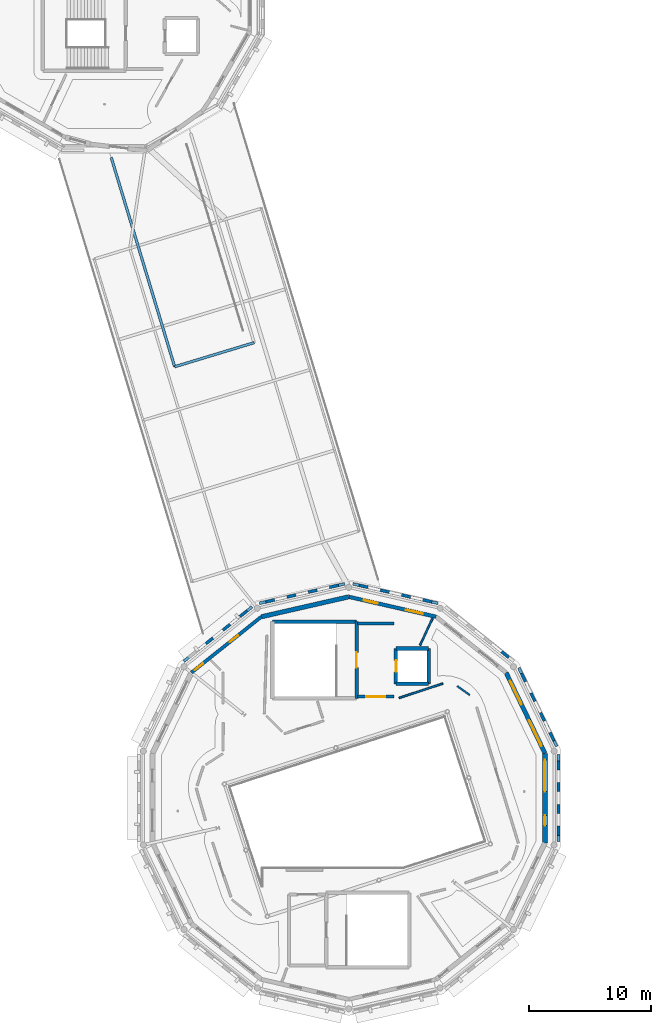
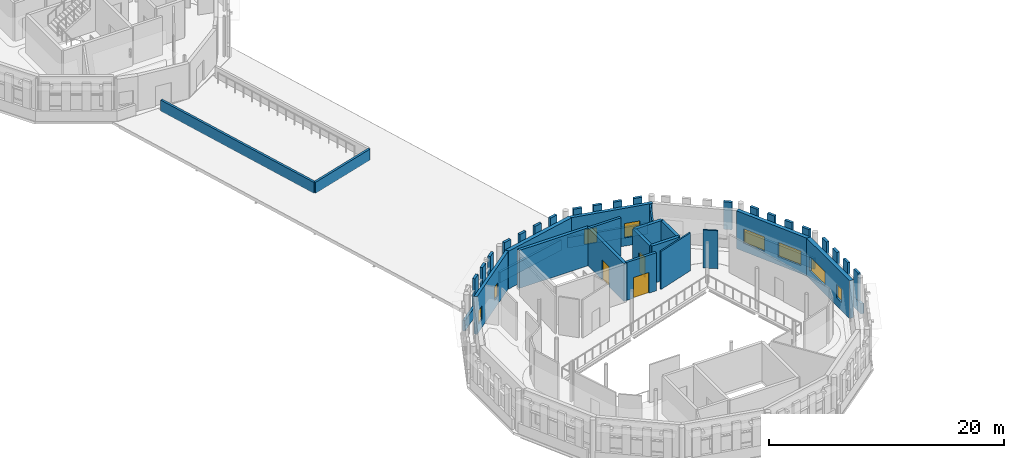
# One storey, part 37 of 68: 43 walls, 8 windows, 3 doors, 11 openings.
"""IFC4 building model written with IfcOpenShell, lengths in metres."""

from ifc_helpers import new_model, si_unit, direction, frame, frame_2d, origin, place, context, subcontext, project, spatial, rectangle, extrude, material, layer, layer_set, type_object, element, fill, save


model = new_model("IFC4")

# Units and contexts
model_context = context("Model", 3, precision=1e-05, world=origin(), true_north=direction((0.0, 1.0)))
body_context = subcontext(model_context, "Body", "Model", "MODEL_VIEW")
ifc_project = project(units=[si_unit("LENGTHUNIT", "METRE"), si_unit("AREAUNIT", "SQUARE_METRE"), si_unit("VOLUMEUNIT", "CUBIC_METRE"), si_unit("PLANEANGLEUNIT", "RADIAN"), si_unit("MASSUNIT", "GRAM", prefix="KILO")], contexts=[model_context])

# Site, building, storey
site_placement = place(None, origin())
site = spatial("IfcSite", under=ifc_project, at=site_placement, CompositionType="ELEMENT")
building_placement = place(site_placement, origin())
building = spatial("IfcBuilding", under=site, at=building_placement, Name="Wrenclough Park School", CompositionType="ELEMENT")
storey_placement = place(building_placement, frame((0.0, 0.0, 12.60009765625)))
storey = spatial("IfcBuildingStorey", under=building, at=storey_placement, Name="L03", CompositionType="ELEMENT", Elevation=12.60009765625)

# Walls
ifc_material_1 = material(Name="Perforated open-bond Staffordshire and Manchester brick screen pier", Category="masonry")
ifc_layer_1 = layer(ifc_material_1, 0.2451171875)
ifc_layer_set_1 = layer_set([ifc_layer_1], Name="Perforated open-bond Staffordshire and Manchester brick screen pier")
wall_type_1 = type_object("IfcWallType", Name="ENV-BS-PR245", PredefinedType="ELEMENTEDWALL", material=ifc_layer_set_1)
for number, where, z_axis, x_axis, name in (
    (1, (53.298828125, 28.1982421875, 1.08984375), (0.0, 0.0, 1.0), (-0.433884123593, 0.900968682749, 0.0), "D2 L03 perforated brick screen pier 0703"),
    (2, (52.5234375, 29.80810546875, 1.08984375), (0.0, 0.0, 1.0), (-0.433884123593, 0.900968682749, 0.0), "D2 L03 perforated brick screen pier 0704"),
    (3, (51.748291015625, 31.41796875, 1.08984375), (0.0, 0.0, 1.0), (-0.433884123593, 0.900968682749, 0.0), "D2 L03 perforated brick screen pier 0705"),
    (4, (50.972900390625, 33.02783203125, 1.08984375), (0.0, 0.0, 1.0), (-0.433884123593, 0.900968682749, 0.0), "D2 L03 perforated brick screen pier 0706"),
):
    element("IfcWall", number, at=place(storey_placement, frame(where, z_axis=z_axis, x_axis=x_axis)), inside=storey, type_object=wall_type_1, Name=name, PredefinedType="ELEMENTEDWALL", context=body_context, shape_type="SweptSolid", body=[
        extrude(rectangle(XDim=0.75, YDim=0.2451171875, at=frame_2d((0.375, 0.0))), origin(), (0.0, 0.0, 1.0), 2.85009765625),
    ])
wall_1_placement = place(storey_placement, frame((49.596923828125, 35.021728515625, 1.08984375), z_axis=(0.0, 0.0, 1.0), x_axis=(-0.781819359776, 0.623505002931, 0.0)))
element("IfcWall", 5, at=wall_1_placement, inside=storey, type_object=wall_type_1, Name="D2 L03 perforated brick screen pier 0707", PredefinedType="ELEMENTEDWALL", context=body_context, shape_type="SweptSolid", body=[
    extrude(rectangle(XDim=0.7509765625, YDim=0.2451171875, at=frame_2d((0.37548828125, 0.0))), origin(), (0.0, 0.0, 1.0), 2.85009765625),
])
for number, where, z_axis, x_axis, name in (
    (6, (43.299560546875, 39.563232421875, 1.08984375), (0.0, 0.0, 1.0), (-0.974898895053, 0.222648028119, 0.0), "D2 L03 perforated brick screen pier 0711"),
    (7, (41.557861328125, 39.9609375, 1.08984375), (0.0, 0.0, 1.0), (-0.974969505796, 0.222338621856, 0.0), "D2 L03 perforated brick screen pier 0712"),
    (8, (39.81591796875, 40.3583984375, 1.08984375), (0.0, 0.0, 1.0), (-0.974898895053, 0.222648028119, 0.0), "D2 L03 perforated brick screen pier 0713"),
    (9, (38.07421875, 40.756103515625, 1.08984375), (0.0, 0.0, 1.0), (-0.974898895053, 0.222648028119, 0.0), "D2 L03 perforated brick screen pier 0714"),
    (10, (35.656982421875, 40.9228515625, 1.08984375), (0.0, 0.0, 1.0), (-0.974969505796, -0.222338621856, 0.0), "D2 L03 perforated brick screen pier 0715"),
    (11, (33.914794921875, 40.525390625, 1.08984375), (0.0, 0.0, 1.0), (-0.974898895053, -0.222648028119, 0.0), "D2 L03 perforated brick screen pier 0716"),
    (12, (32.1728515625, 40.127685546875, 1.08984375), (0.0, 0.0, 1.0), (-0.974969505796, -0.222338621856, 0.0), "D2 L03 perforated brick screen pier 0717"),
    (13, (30.430908203125, 39.72998046875, 1.08984375), (0.0, 0.0, 1.0), (-0.974969505796, -0.222338621856, 0.0), "D2 L03 perforated brick screen pier 0718"),
):
    element("IfcWall", number, at=place(storey_placement, frame(where, z_axis=z_axis, x_axis=x_axis)), inside=storey, type_object=wall_type_1, Name=name, PredefinedType="ELEMENTEDWALL", context=body_context, shape_type="SweptSolid", body=[
        extrude(rectangle(XDim=0.75, YDim=0.2451171875, at=frame_2d((0.375, 0.0))), origin(), (0.0, 0.0, 1.0), 2.85009765625),
    ])
wall_2_placement = place(storey_placement, frame((28.1806640625, 38.831787109375, 1.08984375), z_axis=(0.0, 0.0, 1.0), x_axis=(-0.781757082545, -0.623583084994, 0.0)))
element("IfcWall", 14, at=wall_2_placement, inside=storey, type_object=wall_type_1, Name="D2 L03 perforated brick screen pier 0719", PredefinedType="ELEMENTEDWALL", context=body_context, shape_type="SweptSolid", body=[
    extrude(rectangle(XDim=0.750244140625, YDim=0.2451171875, at=frame_2d((0.375, 0.0))), origin(), (0.0, 0.0, 1.0), 2.85009765625),
])
wall_3_placement = place(storey_placement, frame((26.78369140625, 37.717529296875, 1.08984375), z_axis=(0.0, 0.0, 1.0), x_axis=(-0.781789197913, -0.623542821326, 0.0)))
element("IfcWall", 15, at=wall_3_placement, inside=storey, type_object=wall_type_1, Name="D2 L03 perforated brick screen pier 0720", PredefinedType="ELEMENTEDWALL", context=body_context, shape_type="SweptSolid", body=[
    extrude(rectangle(XDim=0.749755859375, YDim=0.2451171875, at=frame_2d((0.375, 0.0))), origin(), (0.0, 0.0, 1.0), 2.85009765625),
])
for number, where, z_axis, x_axis, name in (
    (16, (25.38671875, 36.603515625, 1.08984375), (0.0, 0.0, 1.0), (-0.781915748527, -0.623384120912, 0.0), "D2 L03 perforated brick screen pier 0721"),
    (17, (53.673583984375, 20.4453125, 1.08984375), (0.0, 0.0, 1.0), (0.0, 1.0, 0.0), "D2 L03 perforated brick screen pier 0755"),
    (18, (53.673583984375, 22.231689453125, 1.08984375), (0.0, 0.0, 1.0), (0.0, 1.0, 0.0), "D2 L03 perforated brick screen pier 0756"),
    (19, (53.673583984375, 24.018310546875, 1.08984375), (0.0, 0.0, 1.0), (0.0, 1.0, 0.0), "D2 L03 perforated brick screen pier 0757"),
    (20, (53.673583984375, 25.8046875, 1.08984375), (0.0, 0.0, 1.0), (0.0, 1.0, 0.0), "D2 L03 perforated brick screen pier 0758"),
):
    element("IfcWall", number, at=place(storey_placement, frame(where, z_axis=z_axis, x_axis=x_axis)), inside=storey, type_object=wall_type_1, Name=name, PredefinedType="ELEMENTEDWALL", context=body_context, shape_type="SweptSolid", body=[
        extrude(rectangle(XDim=0.75, YDim=0.2451171875, at=frame_2d((0.375, 0.0))), origin(), (0.0, 0.0, 1.0), 2.85009765625),
    ])
ifc_material_2 = material(Name="Open-bond Manchester multi-stock brick spandrel screen", Category="masonry")
ifc_layer_2 = layer(ifc_material_2, 0.22509765625)
ifc_layer_set_2 = layer_set([ifc_layer_2], Name="Open-bond Manchester multi-stock brick spandrel screen")
wall_type_2 = type_object("IfcWallType", Name="ENV-BS-SP225", PredefinedType="ELEMENTEDWALL", material=ifc_layer_set_2)
wall_4_placement = place(storey_placement, frame((53.523681640625, 27.731201171875, 0.0), z_axis=(0.0, 0.0, 1.0), x_axis=(-0.433883402341, 0.900969030085, 0.0)))
element("IfcWall", 21, at=wall_4_placement, inside=storey, type_object=wall_type_2, Name="D2 L03 open-bond brick screen spandrel 0189", PredefinedType="ELEMENTEDWALL", context=body_context, shape_type="SweptSolid", body=[
    extrude(rectangle(XDim=7.147216796875, YDim=0.22509765625, at=frame_2d((3.57373046875, 0.0))), origin(), (0.0, 0.0, 1.0), 1.08984375),
])
wall_5_placement = place(storey_placement, frame((43.804931640625, 39.447998046875, 0.0), z_axis=(0.0, 0.0, 1.0), x_axis=(-0.974925038555, 0.222533523763, 0.0)))
element("IfcWall", 22, at=wall_5_placement, inside=storey, type_object=wall_type_2, Name="D2 L03 open-bond brick screen spandrel 0191", PredefinedType="ELEMENTEDWALL", context=body_context, shape_type="SweptSolid", body=[
    extrude(rectangle(XDim=7.146484375, YDim=0.22509765625, at=frame_2d((3.5732421875, 0.0))), origin(), (0.0, 0.0, 1.0), 1.08984375),
])
wall_6_placement = place(storey_placement, frame((36.162353515625, 41.038330078125, 0.0), z_axis=(0.0, 0.0, 1.0), x_axis=(-0.97493180424, -0.222503881046, 0.0)))
element("IfcWall", 23, at=wall_6_placement, inside=storey, type_object=wall_type_2, Name="D2 L03 open-bond brick screen spandrel 0192", PredefinedType="ELEMENTEDWALL", context=body_context, shape_type="SweptSolid", body=[
    extrude(rectangle(XDim=7.1474609375, YDim=0.22509765625, at=frame_2d((3.57373046875, 0.0))), origin(), (0.0, 0.0, 1.0), 1.08984375),
])
wall_7_placement = place(storey_placement, frame((28.5859375, 39.15478515625, 0.0), z_axis=(0.0, 0.0, 1.0), x_axis=(-0.781840989125, -0.623477880702, 0.0)))
element("IfcWall", 24, at=wall_7_placement, inside=storey, type_object=wall_type_2, Name="D2 L03 open-bond brick screen spandrel 0193", PredefinedType="ELEMENTEDWALL", context=body_context, shape_type="SweptSolid", body=[
    extrude(rectangle(XDim=7.14697265625, YDim=0.22509765625, at=frame_2d((3.573486328125, 0.0))), origin(), (0.0, 0.0, 1.0), 1.08984375),
])
wall_8_placement = place(storey_placement, frame((53.673583984375, 19.927001953125, 0.0), z_axis=(0.0, 0.0, 1.0), x_axis=(0.0, 1.0, 0.0)))
element("IfcWall", 25, at=wall_8_placement, inside=storey, type_object=wall_type_2, Name="D2 L03 open-bond brick screen spandrel 0202", PredefinedType="ELEMENTEDWALL", context=body_context, shape_type="SweptSolid", body=[
    extrude(rectangle(XDim=7.14599609375, YDim=0.22509765625, at=frame_2d((3.572998046875, 0.0))), origin(), (0.0, 0.0, 1.0), 1.08984375),
])

# Wall, openings, windows
ifc_material_3 = material(Name="Link wing brick-faced cavity wall Concrete C32/40", Category="masonry")
ifc_layer_3 = layer(ifc_material_3, 0.27490234375)
ifc_layer_set_3 = layer_set([ifc_layer_3], Name="Link wing brick-faced cavity wall Concrete C32/40")
wall_type_3 = type_object("IfcWallType", Name="ENV-EW-275", PredefinedType="SOLIDWALL", material=ifc_layer_set_3)
wall_9_placement = place(storey_placement, frame((23.617919921875, 33.773193359375, 0.0), z_axis=(0.0, 0.0, 1.0), x_axis=(0.781819636461, 0.623504655992, 0.0)))
wall_9 = element("IfcWall", 26, at=wall_9_placement, inside=storey, type_object=wall_type_3, Name="L03 insulated brick external wall 0326", PredefinedType="SOLIDWALL", context=body_context, shape_type="SweptSolid", body=[
    extrude(rectangle(XDim=7.332763671875, YDim=0.27490234375, at=frame_2d((3.66650390625, 0.0))), origin(), (0.0, 0.0, 1.0), 3.93994140625),
])
opening_1_placement = place(wall_9_placement, frame((0.35009765625, 0.0, 0.85009765625)))
opening_1 = element("IfcOpeningElement", 27, at=opening_1_placement, cuts=wall_9, Name="Opening WN-01", PredefinedType="OPENING", context=body_context, shape_type="SweptSolid", body=[
    extrude(rectangle(XDim=0.85009765625, YDim=1.39990234375, at=frame_2d((0.425048828125, 0.699951171875))), frame((0.0, 0.1474609375, 0.0), z_axis=(0.0, -1.0, 0.0), x_axis=(1.0, 0.0, 0.0)), (0.0, 0.0, 1.0), 0.294921875),
])
opening_2_placement = place(wall_9_placement, frame((4.016357421875, 0.0, 0.85009765625)))
opening_2 = element("IfcOpeningElement", 28, at=opening_2_placement, cuts=wall_9, Name="Opening WN-01", PredefinedType="OPENING", context=body_context, shape_type="SweptSolid", body=[
    extrude(rectangle(XDim=0.85009765625, YDim=1.39990234375, at=frame_2d((0.425048828125, 0.699951171875))), frame((0.0, 0.1474609375, 0.0), z_axis=(0.0, -1.0, 0.0), x_axis=(1.0, 0.0, 0.0)), (0.0, 0.0, 1.0), 0.294921875),
])
ifc_material_4 = material(Name="Thermally broken aluminium and double-glazed low-e glass", Category="aluminium")
window_type_1 = type_object("IfcWindowType", Name="ENV-WN-01", PartitioningType="SINGLE_PANEL", PredefinedType="WINDOW", material=ifc_material_4)
window_1_placement = place(opening_1_placement, origin())
window_1 = element("IfcWindow", 29, at=window_1_placement, inside=storey, type_object=window_type_1, Name="L03 scheduled facade window 0551", OverallHeight=1.39990234375, OverallWidth=0.85009765625, PartitioningType="SINGLE_PANEL", PredefinedType="WINDOW", context=body_context, shape_type="SweptSolid", body=[
    extrude(rectangle(XDim=0.85009765625, YDim=1.39990234375, at=frame_2d((0.425048828125, 0.699951171875))), frame((0.0, 0.030029296875, 0.0), z_axis=(0.0, -1.0, 0.0), x_axis=(1.0, 0.0, 0.0)), (0.0, 0.0, 1.0), 0.06005859375),
])
fill(opening_1, window_1)
window_2_placement = place(opening_2_placement, origin())
window_2 = element("IfcWindow", 30, at=window_2_placement, inside=storey, type_object=window_type_1, Name="L03 scheduled facade window 0552", OverallHeight=1.39990234375, OverallWidth=0.85009765625, PartitioningType="SINGLE_PANEL", PredefinedType="WINDOW", context=body_context, shape_type="SweptSolid", body=[
    extrude(rectangle(XDim=0.85009765625, YDim=1.39990234375, at=frame_2d((0.425048828125, 0.699951171875))), frame((0.0, 0.030029296875, 0.0), z_axis=(0.0, -1.0, 0.0), x_axis=(1.0, 0.0, 0.0)), (0.0, 0.0, 1.0), 0.06005859375),
])
fill(opening_2, window_2)

ifc_material_5 = material(Name="Manchester multi-stock brick and Concrete C32/40 inner leaf", Category="masonry")
ifc_layer_4 = layer(ifc_material_5, 0.300048828125)
ifc_layer_set_4 = layer_set([ifc_layer_4], Name="Manchester multi-stock brick and Concrete C32/40 inner leaf")
wall_type_4 = type_object("IfcWallType", Name="ENV-EW-300", PredefinedType="SOLIDWALL", material=ifc_layer_set_4)
wall_10_placement = place(storey_placement, frame((36.5, 39.976806640625, 0.0), z_axis=(0.0, 0.0, 1.0), x_axis=(0.974932633187, -0.222500248868, 0.0)))
wall_10 = element("IfcWall", 31, at=wall_10_placement, inside=storey, type_object=wall_type_4, Name="L03 insulated brick external wall 0328", PredefinedType="SOLIDWALL", context=body_context, shape_type="SweptSolid", body=[
    extrude(rectangle(XDim=7.3330078125, YDim=0.300048828125, at=frame_2d((3.66650390625, 0.0))), origin(), (0.0, 0.0, 1.0), 3.93994140625),
])
opening_3_placement = place(wall_10_placement, frame((1.25830078125, 0.0, 0.85009765625)))
opening_3 = element("IfcOpeningElement", 32, at=opening_3_placement, cuts=wall_10, Name="Opening WN-50", PredefinedType="OPENING", context=body_context, shape_type="SweptSolid", body=[
    extrude(rectangle(XDim=1.14990234375, YDim=1.5, at=frame_2d((0.574951171875, 0.75))), frame((0.0, 0.159912109375, 0.0), z_axis=(0.0, -1.0, 0.0), x_axis=(1.0, 0.0, 0.0)), (0.0, 0.0, 1.0), 0.320068359375),
])
opening_4_placement = place(wall_10_placement, frame((4.7998046875, 0.0, 0.85009765625)))
opening_4 = element("IfcOpeningElement", 33, at=opening_4_placement, cuts=wall_10, Name="Opening WN-51", PredefinedType="OPENING", context=body_context, shape_type="SweptSolid", body=[
    extrude(rectangle(XDim=1.39990234375, YDim=1.5, at=frame_2d((0.699951171875, 0.75))), frame((0.0, 0.159912109375, 0.0), z_axis=(0.0, -1.0, 0.0), x_axis=(1.0, 0.0, 0.0)), (0.0, 0.0, 1.0), 0.320068359375),
])
window_type_2 = type_object("IfcWindowType", Name="ENV-WN-50", PartitioningType="SINGLE_PANEL", PredefinedType="WINDOW", material=ifc_material_4)
window_3_placement = place(opening_3_placement, origin())
window_3 = element("IfcWindow", 34, at=window_3_placement, inside=storey, type_object=window_type_2, Name="L03 scheduled facade window 0553", OverallHeight=1.5, OverallWidth=1.14990234375, PartitioningType="SINGLE_PANEL", PredefinedType="WINDOW", context=body_context, shape_type="SweptSolid", body=[
    extrude(rectangle(XDim=1.14990234375, YDim=1.5, at=frame_2d((0.574951171875, 0.75))), frame((0.0, 0.030029296875, 0.0), z_axis=(0.0, -1.0, 0.0), x_axis=(1.0, 0.0, 0.0)), (0.0, 0.0, 1.0), 0.06005859375),
])
fill(opening_3, window_3)
window_type_3 = type_object("IfcWindowType", Name="ENV-WN-51", PartitioningType="SINGLE_PANEL", PredefinedType="WINDOW", material=ifc_material_4)
window_4_placement = place(opening_4_placement, origin())
window_4 = element("IfcWindow", 35, at=window_4_placement, inside=storey, type_object=window_type_3, Name="L03 scheduled facade window 0554", OverallHeight=1.5, OverallWidth=1.39990234375, PartitioningType="SINGLE_PANEL", PredefinedType="WINDOW", context=body_context, shape_type="SweptSolid", body=[
    extrude(rectangle(XDim=1.39990234375, YDim=1.5, at=frame_2d((0.699951171875, 0.75))), frame((0.0, 0.030029296875, 0.0), z_axis=(0.0, -1.0, 0.0), x_axis=(1.0, 0.0, 0.0)), (0.0, 0.0, 1.0), 0.06005859375),
])
fill(opening_4, window_4)

ifc_material_6 = material(Name="Staffordshire blue-grey brick and Concrete C35/45 inner leaf", Category="masonry")
ifc_layer_5 = layer(ifc_material_6, 0.35009765625)
ifc_layer_set_5 = layer_set([ifc_layer_5], Name="Staffordshire blue-grey brick and Concrete C35/45 inner leaf")
wall_type_5 = type_object("IfcWallType", Name="ENV-EW-350", PredefinedType="SOLIDWALL", material=ifc_layer_set_5)
wall_11_placement = place(storey_placement, frame((49.382080078125, 33.773193359375, 0.0), z_axis=(0.0, 0.0, 1.0), x_axis=(0.433886691468, -0.900967446119, 0.0)))
wall_11 = element("IfcWall", 36, at=wall_11_placement, inside=storey, type_object=wall_type_5, Name="L03 insulated brick external wall 0330", PredefinedType="SOLIDWALL", context=body_context, shape_type="SweptSolid", body=[
    extrude(rectangle(XDim=7.332763671875, YDim=0.35009765625, at=frame_2d((3.66650390625, 0.0))), origin(), (0.0, 0.0, 1.0), 3.93994140625),
])
opening_5_placement = place(wall_11_placement, frame((0.75830078125, 0.0, 0.85009765625)))
opening_5 = element("IfcOpeningElement", 37, at=opening_5_placement, cuts=wall_11, Name="Opening WN-54", PredefinedType="OPENING", context=body_context, shape_type="SweptSolid", body=[
    extrude(rectangle(XDim=2.14990234375, YDim=1.5, at=frame_2d((1.074951171875, 0.75))), frame((0.0, 0.18505859375, 0.0), z_axis=(0.0, -1.0, 0.0), x_axis=(1.0, 0.0, 0.0)), (0.0, 0.0, 1.0), 0.3701171875),
])
opening_6_placement = place(wall_11_placement, frame((4.32470703125, 0.0, 0.85009765625)))
opening_6 = element("IfcOpeningElement", 38, at=opening_6_placement, cuts=wall_11, Name="Opening WN-55", PredefinedType="OPENING", context=body_context, shape_type="SweptSolid", body=[
    extrude(rectangle(XDim=2.35009765625, YDim=1.5, at=frame_2d((1.175048828125, 0.75))), frame((0.0, 0.18505859375, 0.0), z_axis=(0.0, -1.0, 0.0), x_axis=(1.0, 0.0, 0.0)), (0.0, 0.0, 1.0), 0.3701171875),
])
window_type_4 = type_object("IfcWindowType", Name="ENV-WN-54", PartitioningType="DOUBLE_PANEL_VERTICAL", PredefinedType="WINDOW", material=ifc_material_4)
window_5_placement = place(opening_5_placement, origin())
window_5 = element("IfcWindow", 39, at=window_5_placement, inside=storey, type_object=window_type_4, Name="L03 scheduled facade window 0557", OverallHeight=1.5, OverallWidth=2.14990234375, PartitioningType="SINGLE_PANEL", PredefinedType="WINDOW", context=body_context, shape_type="SweptSolid", body=[
    extrude(rectangle(XDim=2.14990234375, YDim=1.5, at=frame_2d((1.074951171875, 0.75))), frame((0.0, 0.030029296875, 0.0), z_axis=(0.0, -1.0, 0.0), x_axis=(1.0, 0.0, 0.0)), (0.0, 0.0, 1.0), 0.06005859375),
])
fill(opening_5, window_5)
window_type_5 = type_object("IfcWindowType", Name="ENV-WN-55", PartitioningType="DOUBLE_PANEL_VERTICAL", PredefinedType="WINDOW", material=ifc_material_4)
window_6_placement = place(opening_6_placement, origin())
window_6 = element("IfcWindow", 40, at=window_6_placement, inside=storey, type_object=window_type_5, Name="L03 scheduled facade window 0558", OverallHeight=1.5, OverallWidth=2.35009765625, PartitioningType="SINGLE_PANEL", PredefinedType="WINDOW", context=body_context, shape_type="SweptSolid", body=[
    extrude(rectangle(XDim=2.35009765625, YDim=1.5, at=frame_2d((1.175048828125, 0.75))), frame((0.0, 0.030029296875, 0.0), z_axis=(0.0, -1.0, 0.0), x_axis=(1.0, 0.0, 0.0)), (0.0, 0.0, 1.0), 0.06005859375),
])
fill(opening_6, window_6)

# Wall
ifc_material_7 = material(Name="Faceted courtyard brick-cavity wall Concrete C35/45", Category="masonry")
ifc_layer_6 = layer(ifc_material_7, 0.364990234375)
ifc_layer_set_6 = layer_set([ifc_layer_6], Name="Faceted courtyard brick-cavity wall Concrete C35/45")
wall_type_6 = type_object("IfcWallType", Name="ENV-EW-365", PredefinedType="SOLIDWALL", material=ifc_layer_set_6)
wall_12_placement = place(storey_placement, frame((29.350830078125, 38.34521484375, 0.0), z_axis=(0.0, 0.0, 1.0), x_axis=(0.974932633187, 0.222500248868, 0.0)))
element("IfcWall", 41, at=wall_12_placement, inside=storey, type_object=wall_type_6, Name="L03 insulated brick external wall 0327", PredefinedType="SOLIDWALL", context=body_context, shape_type="SweptSolid", body=[
    extrude(rectangle(XDim=7.3330078125, YDim=0.364990234375, at=frame_2d((3.66650390625, 0.0))), origin(), (0.0, 0.0, 1.0), 3.93994140625),
])

# Wall, openings, windows
ifc_material_8 = material(Name="Manchester multi-stock brick and Concrete C35/45 inner leaf", Category="masonry")
ifc_layer_7 = layer(ifc_material_8, 0.3798828125)
ifc_layer_set_7 = layer_set([ifc_layer_7], Name="Manchester multi-stock brick and Concrete C35/45 inner leaf")
wall_type_7 = type_object("IfcWallType", Name="ENV-EW-380", PredefinedType="SOLIDWALL", material=ifc_layer_set_7)
wall_13_placement = place(storey_placement, frame((52.563720703125, 27.16650390625, 0.0), z_axis=(0.0, 0.0, 1.0), x_axis=(0.0, -1.0, 0.0)))
wall_13 = element("IfcWall", 42, at=wall_13_placement, inside=storey, type_object=wall_type_7, Name="L03 insulated brick external wall 0331", PredefinedType="SOLIDWALL", context=body_context, shape_type="SweptSolid", body=[
    extrude(rectangle(XDim=7.3330078125, YDim=0.3798828125, at=frame_2d((3.66650390625, 0.0))), origin(), (0.0, 0.0, 1.0), 3.93994140625),
])
opening_7_placement = place(wall_13_placement, frame((0.533203125, 0.0, 0.85009765625)))
opening_7 = element("IfcOpeningElement", 43, at=opening_7_placement, cuts=wall_13, Name="Opening WN-56", PredefinedType="OPENING", context=body_context, shape_type="SweptSolid", body=[
    extrude(rectangle(XDim=2.60009765625, YDim=1.5, at=frame_2d((1.300048828125, 0.75))), frame((0.0, 0.199951171875, 0.0), z_axis=(0.0, -1.0, 0.0), x_axis=(1.0, 0.0, 0.0)), (0.0, 0.0, 1.0), 0.39990234375),
])
opening_8_placement = place(wall_13_placement, frame((5.07470703125, 0.0, 0.85009765625)))
opening_8 = element("IfcOpeningElement", 44, at=opening_8_placement, cuts=wall_13, Name="Opening WN-01", PredefinedType="OPENING", context=body_context, shape_type="SweptSolid", body=[
    extrude(rectangle(XDim=0.85009765625, YDim=1.39990234375, at=frame_2d((0.425048828125, 0.699951171875))), frame((0.0, 0.199951171875, 0.0), z_axis=(0.0, -1.0, 0.0), x_axis=(1.0, 0.0, 0.0)), (0.0, 0.0, 1.0), 0.39990234375),
])
window_7_placement = place(opening_8_placement, origin())
window_7 = element("IfcWindow", 45, at=window_7_placement, inside=storey, type_object=window_type_1, Name="L03 scheduled facade window 0560", OverallHeight=1.39990234375, OverallWidth=0.85009765625, PartitioningType="SINGLE_PANEL", PredefinedType="WINDOW", context=body_context, shape_type="SweptSolid", body=[
    extrude(rectangle(XDim=0.85009765625, YDim=1.39990234375, at=frame_2d((0.425048828125, 0.699951171875))), frame((0.0, 0.030029296875, 0.0), z_axis=(0.0, -1.0, 0.0), x_axis=(1.0, 0.0, 0.0)), (0.0, 0.0, 1.0), 0.06005859375),
])
fill(opening_8, window_7)
window_type_6 = type_object("IfcWindowType", Name="ENV-WN-56", PartitioningType="DOUBLE_PANEL_VERTICAL", PredefinedType="WINDOW", material=ifc_material_4)
window_8_placement = place(opening_7_placement, origin())
window_8 = element("IfcWindow", 46, at=window_8_placement, inside=storey, type_object=window_type_6, Name="L03 scheduled facade window 0559", OverallHeight=1.5, OverallWidth=2.60009765625, PartitioningType="SINGLE_PANEL", PredefinedType="WINDOW", context=body_context, shape_type="SweptSolid", body=[
    extrude(rectangle(XDim=2.60009765625, YDim=1.5, at=frame_2d((1.300048828125, 0.75))), frame((0.0, 0.030029296875, 0.0), z_axis=(0.0, -1.0, 0.0), x_axis=(1.0, 0.0, 0.0)), (0.0, 0.0, 1.0), 0.06005859375),
])
fill(opening_7, window_8)

# Walls
ifc_material_9 = material(Name="Capped Staffordshire blue-grey brick parapet", Category="masonry")
ifc_layer_8 = layer(ifc_material_9, 0.215087890625)
ifc_layer_set_8 = layer_set([ifc_layer_8], Name="Capped Staffordshire blue-grey brick parapet")
wall_type_8 = type_object("IfcWallType", Name="ENV-PW-215", PredefinedType="PARAPET", material=ifc_layer_set_8)
wall_14_placement = place(storey_placement, frame((17.055419921875, 75.943359375, 0.0), z_axis=(0.0, 0.0, 1.0), x_axis=(0.290004745247, -0.957025207471, 0.0)))
element("IfcWall", 47, at=wall_14_placement, inside=storey, type_object=wall_type_8, Name="Play deck PD-2 dividing parapet wall 005", PredefinedType="PARAPET", context=body_context, shape_type="SweptSolid", body=[
    extrude(rectangle(XDim=17.898681640625, YDim=0.215087890625, at=frame_2d((8.94921875, 0.0))), origin(), (0.0, 0.0, 1.0), 1.14990234375),
])
wall_15_placement = place(storey_placement, frame((22.24609375, 58.81396484375, 0.0), z_axis=(0.0, 0.0, 1.0), x_axis=(0.957030141478, 0.289988462362, 0.0)))
element("IfcWall", 48, at=wall_15_placement, inside=storey, type_object=wall_type_8, Name="Play deck PD-2 dividing parapet wall 006", PredefinedType="PARAPET", context=body_context, shape_type="SweptSolid", body=[
    extrude(rectangle(XDim=6.800048828125, YDim=0.215087890625, at=frame_2d((3.39990234375, 0.0))), origin(), (0.0, 0.0, 1.0), 1.14990234375),
])

# Wall, opening, door
ifc_material_10 = material(Name="Concrete C35/45", Category="concrete")
ifc_layer_9 = layer(ifc_material_10, 0.25)
ifc_layer_set_9 = layer_set([ifc_layer_9], Name="Concrete C35/45")
wall_type_9 = type_object("IfcWallType", Name="INT-CW-250", PredefinedType="SHEAR", material=ifc_layer_set_9)
wall_16_placement = place(storey_placement, frame((37.199951171875, 31.800048828125, 0.0), z_axis=(0.0, 0.0, 1.0), x_axis=(1.0, 0.0, 0.0)))
wall_16 = element("IfcWall", 49, at=wall_16_placement, inside=storey, type_object=wall_type_9, Name="Core C2 L03 lobby fire wall south", PredefinedType="SHEAR", context=body_context, shape_type="SweptSolid", body=[
    extrude(rectangle(XDim=3.0, YDim=0.25, at=frame_2d((1.5, 0.0))), origin(), (0.0, 0.0, 1.0), 3.949951171875),
])
opening_9_placement = place(wall_16_placement, frame((0.72509765625, 0.0, 0.0)))
opening_9 = element("IfcOpeningElement", 50, at=opening_9_placement, cuts=wall_16, Name="Opening DLB-C2-L03", PredefinedType="OPENING", context=body_context, shape_type="SweptSolid", body=[
    extrude(rectangle(XDim=1.550048828125, YDim=2.14990234375, at=frame_2d((0.77490234375, 1.074951171875))), frame((0.0, 0.135009765625, 0.0), z_axis=(0.0, -1.0, 0.0), x_axis=(1.0, 0.0, 0.0)), (0.0, 0.0, 1.0), 0.27001953125),
])
ifc_material_11 = material(Name="Protected stair lobby double fire door assembly", Category="wood")
door_type_1 = type_object("IfcDoorType", Name="INT-DR-LB155", OperationType="NOTDEFINED", PredefinedType="DOOR", material=ifc_material_11)
door_1_placement = place(opening_9_placement, origin())
door_1 = element("IfcDoor", 51, at=door_1_placement, inside=storey, type_object=door_type_1, Name="Core C2 L03 protected lobby fire door", OperationType="DOUBLE_DOOR_SINGLE_SWING", OverallHeight=2.14990234375, OverallWidth=1.550048828125, PredefinedType="DOOR", context=body_context, shape_type="SweptSolid", body=[
    extrude(rectangle(XDim=1.550048828125, YDim=2.14990234375, at=frame_2d((0.77490234375, 1.074951171875))), frame((0.0, 0.02490234375, 0.0), z_axis=(0.0, -1.0, 0.0), x_axis=(1.0, 0.0, 0.0)), (0.0, 0.0, 1.0), 0.050048828125),
])
fill(opening_9, door_1)

# Wall
wall_17_placement = place(storey_placement, frame((40.199951171875, 37.800048828125, 0.0), z_axis=(0.0, 0.0, 1.0), x_axis=(-1.0, 0.0, 0.0)))
element("IfcWall", 52, at=wall_17_placement, inside=storey, type_object=wall_type_9, Name="Core C2 L03 lobby fire wall north", PredefinedType="SHEAR", context=body_context, shape_type="SweptSolid", body=[
    extrude(rectangle(XDim=3.0, YDim=0.25, at=frame_2d((1.5, 0.0))), origin(), (0.0, 0.0, 1.0), 3.949951171875),
])

# Wall, opening, door
ifc_material_12 = material(Name="Concrete C40/50", Category="concrete")
ifc_layer_10 = layer(ifc_material_12, 0.2900390625)
ifc_layer_set_10 = layer_set([ifc_layer_10], Name="Concrete C40/50")
wall_type_10 = type_object("IfcWallType", Name="INT-CW-290", PredefinedType="SHEAR", material=ifc_layer_set_10)
wall_18_placement = place(storey_placement, frame((37.14501953125, 31.655029296875, 0.0), z_axis=(0.0, 0.0, 1.0), x_axis=(0.0, 1.0, 0.0)))
wall_18 = element("IfcWall", 53, at=wall_18_placement, inside=storey, type_object=wall_type_10, Name="Core C2 L03 east shear wall", PredefinedType="SHEAR", context=body_context, shape_type="SweptSolid", body=[
    extrude(rectangle(XDim=6.2900390625, YDim=0.2900390625, at=frame_2d((3.14501953125, 0.0))), origin(), (0.0, 0.0, 1.0), 3.949951171875),
])
opening_10_placement = place(wall_18_placement, frame((2.52001953125, 0.0, 0.0)))
opening_10 = element("IfcOpeningElement", 54, at=opening_10_placement, cuts=wall_18, Name="Opening DST-C2-L03", PredefinedType="OPENING", context=body_context, shape_type="SweptSolid", body=[
    extrude(rectangle(XDim=1.25, YDim=2.10009765625, at=frame_2d((0.625, 1.050048828125))), frame((0.0, 0.155029296875, 0.0), z_axis=(0.0, -1.0, 0.0), x_axis=(1.0, 0.0, 0.0)), (0.0, 0.0, 1.0), 0.31005859375),
])
ifc_material_13 = material(Name="Wide protected escape stair fire door assembly", Category="wood")
door_type_2 = type_object("IfcDoorType", Name="INT-DR-ST125", OperationType="NOTDEFINED", PredefinedType="DOOR", material=ifc_material_13)
door_2_placement = place(opening_10_placement, origin())
door_2 = element("IfcDoor", 55, at=door_2_placement, inside=storey, type_object=door_type_2, Name="Stair ST-02 L03 fire door", OperationType="SINGLE_SWING_RIGHT", OverallHeight=2.10009765625, OverallWidth=1.25, PredefinedType="DOOR", context=body_context, shape_type="SweptSolid", body=[
    extrude(rectangle(XDim=1.25, YDim=2.10009765625, at=frame_2d((0.625, 1.050048828125))), frame((0.0, 0.02490234375, 0.0), z_axis=(0.0, -1.0, 0.0), x_axis=(1.0, 0.0, 0.0)), (0.0, 0.0, 1.0), 0.050048828125),
])
fill(opening_10, door_2)

# Walls
wall_19_placement = place(storey_placement, frame((37.14501953125, 37.945068359375, 0.0), z_axis=(0.0, 0.0, 1.0), x_axis=(-1.0, 0.0, 0.0)))
element("IfcWall", 56, at=wall_19_placement, inside=storey, type_object=wall_type_10, Name="Core C2 L03 north shear wall", PredefinedType="SHEAR", context=body_context, shape_type="SweptSolid", body=[
    extrude(rectangle(XDim=6.89013671875, YDim=0.2900390625, at=frame_2d((3.445068359375, 0.0))), origin(), (0.0, 0.0, 1.0), 3.949951171875),
])
wall_20_placement = place(storey_placement, frame((40.35498046875, 32.85498046875, 0.0), z_axis=(0.0, 0.0, 1.0), x_axis=(1.0, 0.0, 0.0)))
element("IfcWall", 57, at=wall_20_placement, inside=storey, type_object=wall_type_10, Name="Lift LFT-04 L03 south shaft wall", PredefinedType="SHEAR", context=body_context, shape_type="SweptSolid", body=[
    extrude(rectangle(XDim=2.68994140625, YDim=0.2900390625, at=frame_2d((1.344970703125, 0.0))), origin(), (0.0, 0.0, 1.0), 3.949951171875),
])
wall_21_placement = place(storey_placement, frame((43.044921875, 32.85498046875, 0.0), z_axis=(0.0, 0.0, 1.0), x_axis=(0.0, 1.0, 0.0)))
element("IfcWall", 58, at=wall_21_placement, inside=storey, type_object=wall_type_10, Name="Lift LFT-04 L03 east shaft wall", PredefinedType="SHEAR", context=body_context, shape_type="SweptSolid", body=[
    extrude(rectangle(XDim=2.89013671875, YDim=0.2900390625, at=frame_2d((1.445068359375, 0.0))), origin(), (0.0, 0.0, 1.0), 3.949951171875),
])
wall_22_placement = place(storey_placement, frame((43.044921875, 35.7451171875, 0.0), z_axis=(0.0, 0.0, 1.0), x_axis=(-1.0, 0.0, 0.0)))
element("IfcWall", 59, at=wall_22_placement, inside=storey, type_object=wall_type_10, Name="Lift LFT-04 L03 north shaft wall", PredefinedType="SHEAR", context=body_context, shape_type="SweptSolid", body=[
    extrude(rectangle(XDim=2.68994140625, YDim=0.2900390625, at=frame_2d((1.344970703125, 0.0))), origin(), (0.0, 0.0, 1.0), 3.949951171875),
])

# Wall, opening, door
wall_23_placement = place(storey_placement, frame((40.35498046875, 35.7451171875, 0.0), z_axis=(0.0, 0.0, 1.0), x_axis=(0.0, -1.0, 0.0)))
wall_23 = element("IfcWall", 60, at=wall_23_placement, inside=storey, type_object=wall_type_10, Name="Lift LFT-04 L03 west shaft wall", PredefinedType="SHEAR", context=body_context, shape_type="SweptSolid", body=[
    extrude(rectangle(XDim=2.89013671875, YDim=0.2900390625, at=frame_2d((1.445068359375, 0.0))), origin(), (0.0, 0.0, 1.0), 3.949951171875),
])
opening_11_placement = place(wall_23_placement, frame((0.969970703125, 0.0, 0.0)))
opening_11 = element("IfcOpeningElement", 61, at=opening_11_placement, cuts=wall_23, Name="Opening LD-04-L03", PredefinedType="OPENING", context=body_context, shape_type="SweptSolid", body=[
    extrude(rectangle(XDim=0.949951171875, YDim=2.10009765625, at=frame_2d((0.47509765625, 1.050048828125))), frame((0.0, 0.155029296875, 0.0), z_axis=(0.0, -1.0, 0.0), x_axis=(1.0, 0.0, 0.0)), (0.0, 0.0, 1.0), 0.31005859375),
])
ifc_material_14 = material(Name="Brushed stainless steel", Category="steel")
door_type_3 = type_object("IfcDoorType", Name="INT-DR-LD095", OperationType="NOTDEFINED", PredefinedType="DOOR", material=ifc_material_14)
door_3_placement = place(opening_11_placement, frame((0.949951171875, 0.0, 0.0), z_axis=(0.0, 0.0, 1.0), x_axis=(-1.0, 0.0, 0.0)))
door_3 = element("IfcDoor", 62, at=door_3_placement, inside=storey, type_object=door_type_3, Name="Lift LFT-04 L03 sliding landing door", OperationType="SLIDING_TO_LEFT", OverallHeight=2.10009765625, OverallWidth=0.949951171875, PredefinedType="DOOR", context=body_context, shape_type="SweptSolid", body=[
    extrude(rectangle(XDim=0.949951171875, YDim=2.10009765625, at=frame_2d((0.47509765625, 1.050048828125))), frame((0.0, 0.02490234375, 0.0), z_axis=(0.0, -1.0, 0.0), x_axis=(1.0, 0.0, 0.0)), (0.0, 0.0, 1.0), 0.050048828125),
])
fill(opening_11, door_3)

# Walls
ifc_material_15 = material(Name="Protected corridor partition", Category="gypsum")
ifc_layer_11 = layer(ifc_material_15, 0.14990234375)
ifc_layer_set_11 = layer_set([ifc_layer_11], Name="Protected corridor partition")
wall_type_11 = type_object("IfcWallType", Name="INT-PW-150", PredefinedType="PARTITIONING", material=ifc_layer_set_11)
wall_24_placement = place(storey_placement, frame((43.36865234375, 38.229736328125, 0.0), z_axis=(0.0, 0.0, 1.0), x_axis=(-0.42258054556, -0.906325373425, 0.0)))
element("IfcWall", 63, at=wall_24_placement, inside=storey, type_object=wall_type_11, Name="L03 internal partition 0450", PredefinedType="PARTITIONING", context=body_context, shape_type="SweptSolid", body=[
    extrude(rectangle(XDim=2.454833984375, YDim=0.14990234375, at=frame_2d((1.2275390625, 0.0))), origin(), (0.0, 0.0, 1.0), 3.949951171875),
])
wall_25_placement = place(storey_placement, frame((40.619873046875, 31.696044921875, 0.0), z_axis=(0.0, 0.0, 1.0), x_axis=(0.949660752523, 0.313280154363, 0.0)))
element("IfcWall", 64, at=wall_25_placement, inside=storey, type_object=wall_type_11, Name="L03 internal partition 0451", PredefinedType="PARTITIONING", context=body_context, shape_type="SweptSolid", body=[
    extrude(rectangle(XDim=3.77880859375, YDim=0.14990234375, at=frame_2d((1.889404296875, 0.0))), origin(), (0.0, 0.0, 1.0), 3.949951171875),
])
wall_26_placement = place(storey_placement, frame((45.376708984375, 32.671142578125, 0.0), z_axis=(0.0, 0.0, 1.0), x_axis=(0.814070389221, -0.580766219225, 0.0)))
element("IfcWall", 65, at=wall_26_placement, inside=storey, type_object=wall_type_11, Name="L03 internal partition 0452", PredefinedType="PARTITIONING", context=body_context, shape_type="SweptSolid", body=[
    extrude(rectangle(XDim=1.2724609375, YDim=0.14990234375, at=frame_2d((0.63623046875, 0.0))), origin(), (0.0, 0.0, 1.0), 3.949951171875),
])

save(model, "model.ifc")
